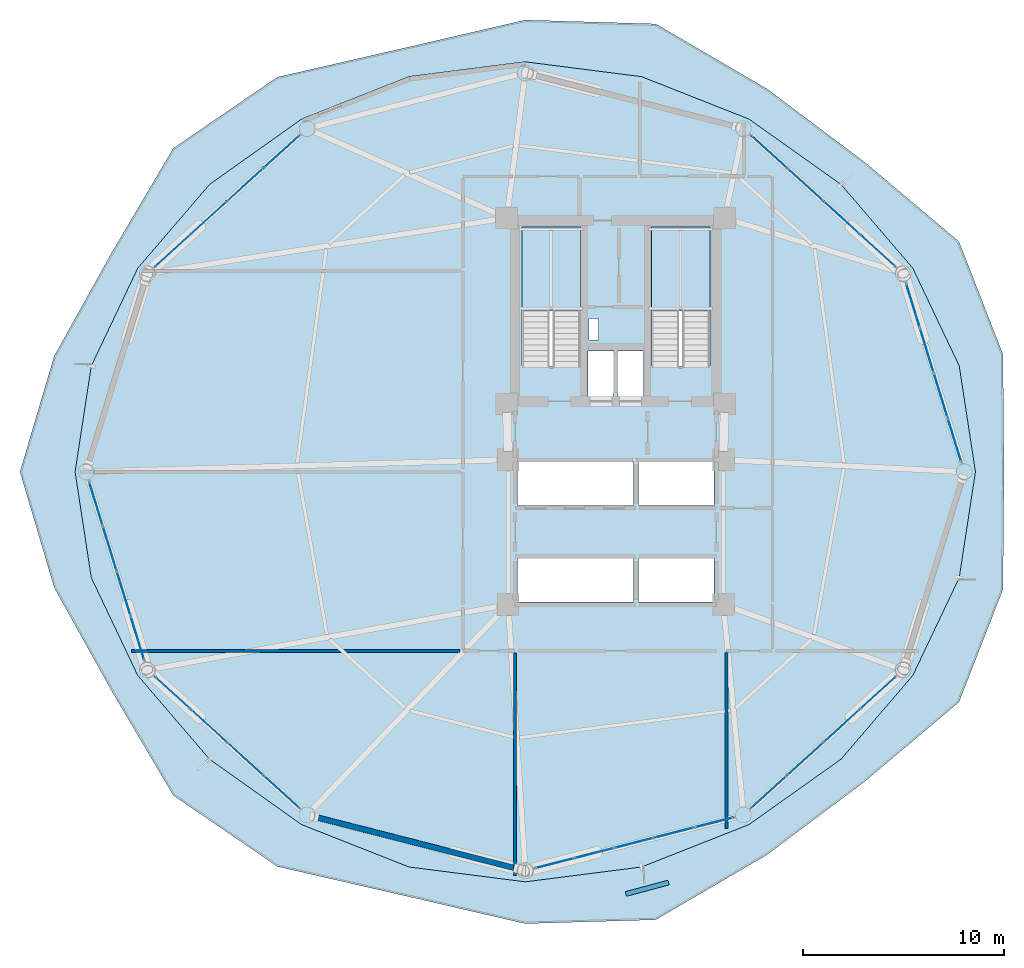
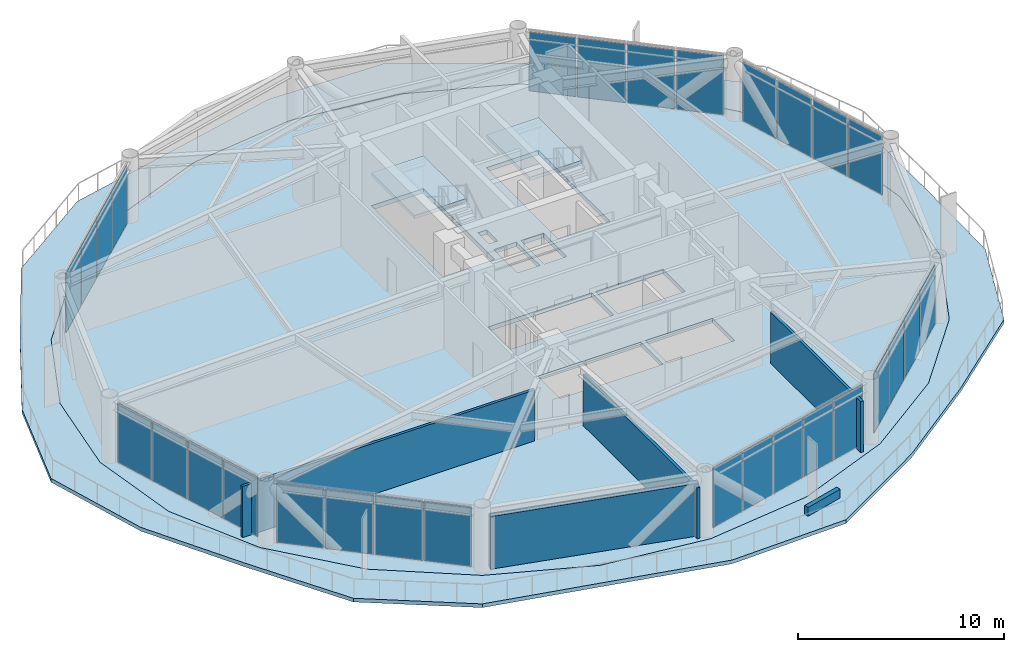
# One storey, part 18 of 23: 29 plates, 5 walls, 4 slabs, 9 elements without a shape of their own.
"""IFC4 building model written with IfcOpenShell, lengths in metres."""

from ifc_helpers import new_model, si_unit, direction, frame, frame_2d, origin, origin_2d, place, context, subcontext, project, spatial, polyline, rectangle, outline, extrude, source, transform, mapped, material, layer, layer_set, type_object, type_shapes, element, aggregate, save


model = new_model("IFC4")

# Units and contexts
model_context = context("Model", 3, precision=1e-05, world=origin(), true_north=direction((0.0, 1.0)))
body_context = subcontext(model_context, "Body", "Model", "MODEL_VIEW")
ifc_project = project(units=[si_unit("LENGTHUNIT", "METRE"), si_unit("AREAUNIT", "SQUARE_METRE"), si_unit("VOLUMEUNIT", "CUBIC_METRE"), si_unit("PLANEANGLEUNIT", "RADIAN"), si_unit("MASSUNIT", "GRAM", prefix="KILO")], contexts=[model_context])

# Site, building, storey
site_placement = place(None, origin())
site = spatial("IfcSite", under=ifc_project, at=site_placement, CompositionType="ELEMENT")
building_placement = place(site_placement, origin())
building = spatial("IfcBuilding", under=site, at=building_placement, Name="Varnakorn Sky Granary", CompositionType="ELEMENT")
storey_placement = place(building_placement, frame((0.0, 0.0, 83.699951171875)))
storey = spatial("IfcBuildingStorey", under=building, at=storey_placement, Name="L20", CompositionType="ELEMENT", Elevation=83.699951171875)

# Stair, slab
ifc_material_1 = material(Name="Concrete C40/50", Category="concrete")
stair_type = type_object("IfcStairType", Name="ST-MAIN-ASSEMBLY", PredefinedType="HALF_TURN_STAIR", material=ifc_material_1)
stair_1_placement = place(storey_placement, origin())
stair_1 = element("IfcStair", 1, at=stair_1_placement, inside=storey, type_object=stair_type, Name="L20 Protected Exit Stair ST-1", PredefinedType="HALF_TURN_STAIR")
ifc_layer_1 = layer(ifc_material_1, 0.199951171875, Name="Concrete C40/50")
ifc_layer_set_1 = layer_set([ifc_layer_1], Name="Concrete C40/50")
slab_type_1 = type_object("IfcSlabType", Name="ST-MAIN-LAND", PredefinedType="LANDING", material=ifc_layer_set_1)
slab_1_placement = place(storey_placement, frame((0.0, 0.0, 1.75)))
slab_1 = element("IfcSlab", 2, at=slab_1_placement, type_object=slab_type_1, Name="ST-1 landing 1", PredefinedType="LANDING", context=body_context, shape_type="SweptSolid", body=[
    extrude(outline(polyline([(1.239990234375, 8.0), (1.239990234375, 12.179931640625), (-1.669921875, 12.179931640625), (-1.669921875, 8.0), (1.239990234375, 8.0)])), origin(), (0.0, 0.0, 1.0), 0.199951171875),
])
aggregate(stair_1, [slab_1])

stair_2_placement = place(storey_placement, origin())
stair_2 = element("IfcStair", 3, at=stair_2_placement, inside=storey, type_object=stair_type, Name="L20 Protected Exit Stair ST-2", PredefinedType="HALF_TURN_STAIR")
slab_2_placement = place(storey_placement, frame((0.0, 0.0, 1.75)))
slab_2 = element("IfcSlab", 4, at=slab_2_placement, type_object=slab_type_1, Name="ST-2 landing 1", PredefinedType="LANDING", context=body_context, shape_type="SweptSolid", body=[
    extrude(outline(polyline([(7.679931640625, 8.0), (7.679931640625, 12.179931640625), (4.77001953125, 12.179931640625), (4.77001953125, 8.0), (7.679931640625, 8.0)])), origin(), (0.0, 0.0, 1.0), 0.199951171875),
])
aggregate(stair_2, [slab_2])

# Slabs
ifc_material_2 = material(Name="Precast concrete C40/50", Category="concrete")
ifc_layer_2 = layer(ifc_material_2, 0.219970703125, Name="Precast concrete C40/50")
ifc_layer_set_2 = layer_set([ifc_layer_2], Name="Precast concrete C40/50")
slab_type_2 = type_object("IfcSlabType", Name="ST-SL-DECK-220", PredefinedType="FLOOR", material=ifc_layer_set_2)
slab_3_placement = place(storey_placement, frame((0.0, 0.0, -0.219970703125)))
element("IfcSlab", 5, at=slab_3_placement, inside=storey, type_object=slab_type_2, Name="Wavy Sky-Farm Balcony Deck L20", PredefinedType="FLOOR", context=body_context, shape_type="SweptSolid", body=[
    extrude(outline(polyline([(22.31005859375, 0.0), (22.2578125, 5.8486328125), (20.069580078125, 11.454345703125), (15.345703125, 15.432861328125), (10.50244140625, 19.05859375), (4.98681640625, 22.278564453125), (-1.5, 22.471923828125), (-7.65673828125, 21.047119140625), (-13.83251953125, 19.630126953125), (-19.005615234375, 16.0927734375), (-22.07958984375, 10.8828125), (-24.927734375, 5.76025390625), (-26.6298828125, 0.0), (-24.927734375, -5.76025390625), (-22.07958984375, -10.8828125), (-19.005615234375, -16.0927734375), (-13.83251953125, -19.630126953125), (-7.65673828125, -21.047119140625), (-1.5, -22.471923828125), (4.98681640625, -22.278564453125), (10.50244140625, -19.05859375), (15.345703125, -15.432861328125), (20.069580078125, -11.454345703125), (22.2578125, -5.8486328125), (22.31005859375, 0.0)]), holes=[polyline([(20.889892578125, 0.0), (20.08349609375, 5.26611328125), (17.7734375, 10.12841796875), (14.204833984375, 14.2919921875), (9.62744140625, 17.543212890625), (4.283203125, 19.65380859375), (-1.5, 20.39208984375), (-7.283203125, 19.65380859375), (-12.62744140625, 17.543212890625), (-17.204833984375, 14.2919921875), (-20.7734375, 10.12841796875), (-23.08349609375, 5.26611328125), (-23.889892578125, 0.0), (-23.08349609375, -5.26611328125), (-20.7734375, -10.12841796875), (-17.204833984375, -14.2919921875), (-12.62744140625, -17.543212890625), (-7.283203125, -19.65380859375), (-1.5, -20.39208984375), (4.283203125, -19.65380859375), (9.62744140625, -17.543212890625), (14.204833984375, -14.2919921875), (17.7734375, -10.12841796875), (20.08349609375, -5.26611328125), (20.889892578125, 0.0)])]), origin(), (0.0, 0.0, 1.0), 0.219970703125),
])
ifc_material_3 = material(Name="Concrete C50/60", Category="concrete")
ifc_layer_3 = layer(ifc_material_3, 0.260009765625, Name="Concrete C50/60")
ifc_layer_set_3 = layer_set([ifc_layer_3], Name="Concrete C50/60")
slab_type_3 = type_object("IfcSlabType", Name="ST-SL-TWR-260", PredefinedType="FLOOR", material=ifc_layer_set_3)
slab_4_placement = place(storey_placement, frame((0.0, 0.0, -0.260009765625)))
element("IfcSlab", 6, at=slab_4_placement, inside=storey, type_object=slab_type_3, Name="Level L20 Structural Floor Slab", PredefinedType="FLOOR", context=body_context, shape_type="SweptSolid", body=[
    extrude(outline(polyline([(20.889892578125, 0.0), (20.08349609375, 5.26611328125), (17.7734375, 10.12841796875), (14.204833984375, 14.2919921875), (9.62744140625, 17.543212890625), (4.283203125, 19.65380859375), (-1.5, 20.39208984375), (-7.283203125, 19.65380859375), (-12.62744140625, 17.543212890625), (-17.204833984375, 14.2919921875), (-20.7734375, 10.12841796875), (-23.08349609375, 5.26611328125), (-23.889892578125, 0.0), (-23.08349609375, -5.26611328125), (-20.7734375, -10.12841796875), (-17.204833984375, -14.2919921875), (-12.62744140625, -17.543212890625), (-7.283203125, -19.65380859375), (-1.5, -20.39208984375), (4.283203125, -19.65380859375), (9.62744140625, -17.543212890625), (14.204833984375, -14.2919921875), (17.7734375, -10.12841796875), (20.08349609375, -5.26611328125), (20.889892578125, 0.0)]), holes=[polyline([(1.239990234375, 5.27490234375), (1.239990234375, 12.179931640625), (-1.669921875, 12.179931640625), (-1.669921875, 5.27490234375), (1.239990234375, 5.27490234375)]), polyline([(7.679931640625, 5.27490234375), (7.679931640625, 12.179931640625), (4.77001953125, 12.179931640625), (4.77001953125, 5.27490234375), (7.679931640625, 5.27490234375)]), polyline([(1.659912109375, 6.550048828125), (2.14990234375, 6.550048828125), (2.14990234375, 7.6201171875), (1.659912109375, 7.6201171875), (1.659912109375, 6.550048828125)]), polyline([(1.6201171875, 3.739990234375), (2.8798828125, 3.739990234375), (2.8798828125, 6.010009765625), (1.6201171875, 6.010009765625), (1.6201171875, 3.739990234375)]), polyline([(3.1201171875, 3.739990234375), (4.3798828125, 3.739990234375), (4.3798828125, 6.010009765625), (3.1201171875, 6.010009765625), (3.1201171875, 3.739990234375)]), polyline([(-1.8798828125, -1.679931640625), (3.8798828125, -1.679931640625), (3.8798828125, 0.47998046875), (-1.8798828125, 0.47998046875), (-1.8798828125, -1.679931640625)]), polyline([(4.1201171875, -1.679931640625), (7.8798828125, -1.679931640625), (7.8798828125, 0.47998046875), (4.1201171875, 0.47998046875), (4.1201171875, -1.679931640625)]), polyline([(-1.8798828125, -6.47998046875), (3.8798828125, -6.47998046875), (3.8798828125, -4.320068359375), (-1.8798828125, -4.320068359375), (-1.8798828125, -6.47998046875)]), polyline([(4.1201171875, -6.47998046875), (7.8798828125, -6.47998046875), (7.8798828125, -4.320068359375), (4.1201171875, -4.320068359375), (4.1201171875, -6.47998046875)])]), origin(), (0.0, 0.0, 1.0), 0.260009765625),
])

# Curtain wall, plates
ifc_material_4 = material(Name="Anodised Bronze Aluminium Alloy 6063-T6", Category="aluminium")
ifc_layer_4 = layer(ifc_material_4, 0.18994140625, Name="Anodised Bronze Aluminium Alloy 6063-T6")
ifc_layer_set_4 = layer_set([ifc_layer_4], Name="Anodised Bronze Aluminium Alloy 6063-T6")
curtain_wall_type = type_object("IfcCurtainWallType", Name="CW-FRM-1", PredefinedType="USERDEFINED", material=ifc_layer_set_4)
curtain_wall_1_placement = place(storey_placement, origin())
curtain_wall_1 = element("IfcCurtainWall", 7, at=curtain_wall_1_placement, inside=storey, type_object=curtain_wall_type, Name="Unitised Curtain Wall CW3 CW-L20-B10", ObjectType="CURTAIN WALL", PredefinedType="USERDEFINED")
ifc_material_5 = material(Name="Low-E Tinted Laminated Glass", Category="glass")
ifc_layer_5 = layer(ifc_material_5, 0.028076171875, Name="Low-E Tinted Laminated Glass")
ifc_layer_set_5 = layer_set([ifc_layer_5], Name="Low-E Tinted Laminated Glass")
plate_type = type_object("IfcPlateType", Name="CW-FRM-1-PNL", PredefinedType="CURTAIN_PANEL")
shared_shape_1 = source(origin(), body_context, "Body", "SweptSolid", [
    extrude(rectangle(XDim=1.94873046875, YDim=0.028076171875, at=origin_2d()), origin(), (0.0, 0.0, 1.0), 3.5),
])
plate_1_placement = place(storey_placement, frame((7.888671875, -17.441162109375, 0.070068359375), z_axis=(0.0, 0.0, 1.0), x_axis=(-0.968825266869, -0.247745034815, 0.0)))
plate_1 = element("IfcPlate", 8, at=plate_1_placement, type_object=plate_type, material=ifc_layer_set_5, Name="CW3 vision glazing unit 1.1", PredefinedType="CURTAIN_PANEL", context=body_context, shape_type="MappedRepresentation", body=[
    mapped(shared_shape_1, transform((0.0, 0.0, 0.0), x_axis=(1.0, 0.0, 0.0), y_axis=(0.0, 1.0, 0.0), z_axis=(0.0, 0.0, 1.0), scale=1.0)),
])
ifc_material_6 = material(Name="Opaque Insulated Aluminium Shadow-Box Unit", Category="aluminium")
ifc_layer_6 = layer(ifc_material_6, 0.028076171875, Name="Opaque Insulated Aluminium Shadow-Box Unit")
ifc_layer_set_6 = layer_set([ifc_layer_6], Name="Opaque Insulated Aluminium Shadow-Box Unit")
plate_2_placement = place(storey_placement, frame((-0.0361328125, -19.4677734375, 0.070068359375), z_axis=(0.0, 0.0, 1.0), x_axis=(-0.968825266869, -0.247745034815, 0.0)))
plate_2 = element("IfcPlate", 9, at=plate_2_placement, type_object=plate_type, material=ifc_layer_set_6, Name="CW3 opaque insulated shadow-box unit 5.1", PredefinedType="CURTAIN_PANEL", context=body_context, shape_type="MappedRepresentation", body=[
    mapped(shared_shape_1, transform((0.0, 0.0, 0.0), x_axis=(1.0, 0.0, 0.0), y_axis=(0.0, 1.0, 0.0), z_axis=(0.0, 0.0, 1.0), scale=1.0)),
])

curtain_wall_2_placement = place(storey_placement, origin())
curtain_wall_2 = element("IfcCurtainWall", 10, at=curtain_wall_2_placement, inside=storey, type_object=curtain_wall_type, Name="Unitised Curtain Wall CW3 CW-L20-B01", ObjectType="CURTAIN WALL", PredefinedType="USERDEFINED")
shared_shape_2 = source(origin(), body_context, "Body", "SweptSolid", [
    extrude(rectangle(XDim=2.239990234375, YDim=0.028076171875, at=origin_2d()), origin(), (0.0, 0.0, 1.0), 3.5),
])
plate_3_placement = place(storey_placement, frame((17.785888671875, 8.270751953125, 0.070068359375), z_axis=(0.0, 0.0, 1.0), x_axis=(0.295072350738, -0.955474912193, 0.0)))
plate_3 = element("IfcPlate", 11, at=plate_3_placement, type_object=plate_type, material=ifc_layer_set_6, Name="CW3 opaque insulated shadow-box unit 1.1", PredefinedType="CURTAIN_PANEL", context=body_context, shape_type="MappedRepresentation", body=[
    mapped(shared_shape_2, transform((0.0, 0.0, 0.0), x_axis=(1.0, 0.0, 0.0), y_axis=(0.0, 1.0, 0.0), z_axis=(0.0, 0.0, 1.0), scale=1.0)),
])
plate_4_placement = place(storey_placement, frame((19.851318359375, 1.582763671875, 0.070068359375), z_axis=(0.0, 0.0, 1.0), x_axis=(0.295072350738, -0.955474912193, 0.0)))
plate_4 = element("IfcPlate", 12, at=plate_4_placement, type_object=plate_type, material=ifc_layer_set_5, Name="CW3 vision glazing unit 4.1", PredefinedType="CURTAIN_PANEL", context=body_context, shape_type="MappedRepresentation", body=[
    mapped(shared_shape_2, transform((0.0, 0.0, 0.0), x_axis=(1.0, 0.0, 0.0), y_axis=(0.0, 1.0, 0.0), z_axis=(0.0, 0.0, 1.0), scale=1.0)),
])

curtain_wall_3_placement = place(storey_placement, origin())
curtain_wall_3 = element("IfcCurtainWall", 13, at=curtain_wall_3_placement, inside=storey, type_object=curtain_wall_type, Name="Unitised Curtain Wall CW3 CW-L20-B07", ObjectType="CURTAIN WALL", PredefinedType="USERDEFINED")
plate_5_placement = place(storey_placement, frame((-20.785888671875, -8.270751953125, 0.070068359375), z_axis=(0.0, 0.0, 1.0), x_axis=(-0.295072350738, 0.955474912193, 0.0)))
plate_5 = element("IfcPlate", 14, at=plate_5_placement, type_object=plate_type, material=ifc_layer_set_6, Name="CW3 opaque insulated shadow-box unit 1.1", PredefinedType="CURTAIN_PANEL", context=body_context, shape_type="MappedRepresentation", body=[
    mapped(shared_shape_2, transform((0.0, 0.0, 0.0), x_axis=(1.0, 0.0, 0.0), y_axis=(0.0, 1.0, 0.0), z_axis=(0.0, 0.0, 1.0), scale=1.0)),
])
plate_6_placement = place(storey_placement, frame((-22.851318359375, -1.582763671875, 0.070068359375), z_axis=(0.0, 0.0, 1.0), x_axis=(-0.295072350738, 0.955474912193, 0.0)))
plate_6 = element("IfcPlate", 15, at=plate_6_placement, type_object=plate_type, material=ifc_layer_set_5, Name="CW3 vision glazing unit 4.1", PredefinedType="CURTAIN_PANEL", context=body_context, shape_type="MappedRepresentation", body=[
    mapped(shared_shape_2, transform((0.0, 0.0, 0.0), x_axis=(1.0, 0.0, 0.0), y_axis=(0.0, 1.0, 0.0), z_axis=(0.0, 0.0, 1.0), scale=1.0)),
])

# Plate
shared_shape_3 = source(origin(), body_context, "Body", "SweptSolid", [
    extrude(rectangle(XDim=2.27490234375, YDim=0.028076171875, at=origin_2d()), origin(), (0.0, 0.0, 1.0), 3.5),
])
plate_7_placement = place(storey_placement, frame((18.47265625, 6.047119140625, 0.070068359375), z_axis=(0.0, 0.0, 1.0), x_axis=(0.295072350738, -0.955474912193, 0.0)))
plate_7 = element("IfcPlate", 16, at=plate_7_placement, type_object=plate_type, material=ifc_layer_set_6, Name="CW3 opaque insulated shadow-box unit 2.1", PredefinedType="CURTAIN_PANEL", context=body_context, shape_type="MappedRepresentation", body=[
    mapped(shared_shape_3, transform((0.0, 0.0, 0.0), x_axis=(1.0, 0.0, 0.0), y_axis=(0.0, 1.0, 0.0), z_axis=(0.0, 0.0, 1.0), scale=1.0)),
])

plate_8_placement = place(storey_placement, frame((19.16455078125, 3.806396484375, 0.070068359375), z_axis=(0.0, 0.0, 1.0), x_axis=(0.295072350738, -0.955474912193, 0.0)))
plate_8 = element("IfcPlate", 17, at=plate_8_placement, type_object=plate_type, material=ifc_layer_set_5, Name="CW3 vision glazing unit 3.1", PredefinedType="CURTAIN_PANEL", context=body_context, shape_type="MappedRepresentation", body=[
    mapped(shared_shape_3, transform((0.0, 0.0, 0.0), x_axis=(1.0, 0.0, 0.0), y_axis=(0.0, 1.0, 0.0), z_axis=(0.0, 0.0, 1.0), scale=1.0)),
])

aggregate(curtain_wall_2, [plate_3, plate_7, plate_8, plate_4])

plate_9_placement = place(storey_placement, frame((-21.47265625, -6.047119140625, 0.070068359375), z_axis=(0.0, 0.0, 1.0), x_axis=(-0.295072350738, 0.955474912193, 0.0)))
plate_9 = element("IfcPlate", 18, at=plate_9_placement, type_object=plate_type, material=ifc_layer_set_6, Name="CW3 opaque insulated shadow-box unit 2.1", PredefinedType="CURTAIN_PANEL", context=body_context, shape_type="MappedRepresentation", body=[
    mapped(shared_shape_3, transform((0.0, 0.0, 0.0), x_axis=(1.0, 0.0, 0.0), y_axis=(0.0, 1.0, 0.0), z_axis=(0.0, 0.0, 1.0), scale=1.0)),
])

plate_10_placement = place(storey_placement, frame((-22.16455078125, -3.806396484375, 0.070068359375), z_axis=(0.0, 0.0, 1.0), x_axis=(-0.295072350738, 0.955474912193, 0.0)))
plate_10 = element("IfcPlate", 19, at=plate_10_placement, type_object=plate_type, material=ifc_layer_set_5, Name="CW3 vision glazing unit 3.1", PredefinedType="CURTAIN_PANEL", context=body_context, shape_type="MappedRepresentation", body=[
    mapped(shared_shape_3, transform((0.0, 0.0, 0.0), x_axis=(1.0, 0.0, 0.0), y_axis=(0.0, 1.0, 0.0), z_axis=(0.0, 0.0, 1.0), scale=1.0)),
])

aggregate(curtain_wall_3, [plate_5, plate_9, plate_10, plate_6])

# Curtain wall, plates
curtain_wall_4_placement = place(storey_placement, origin())
curtain_wall_4 = element("IfcCurtainWall", 20, at=curtain_wall_4_placement, inside=storey, type_object=curtain_wall_type, Name="Unitised Curtain Wall CW3 CW-L20-B02", ObjectType="CURTAIN WALL", PredefinedType="USERDEFINED")
shared_shape_4 = source(origin(), body_context, "Body", "SweptSolid", [
    extrude(rectangle(XDim=2.344482421875, YDim=0.028076171875, at=origin_2d()), origin(), (0.0, 0.0, 1.0), 3.5),
])
plate_11_placement = place(storey_placement, frame((10.61767578125, 15.918212890625, 0.070068359375), z_axis=(0.0, 0.0, 1.0), x_axis=(0.740359735476, -0.672210876204, 0.0)))
plate_11 = element("IfcPlate", 21, at=plate_11_placement, type_object=plate_type, material=ifc_layer_set_5, Name="CW3 vision glazing unit 1.1", PredefinedType="CURTAIN_PANEL", context=body_context, shape_type="MappedRepresentation", body=[
    mapped(shared_shape_4, transform((0.0, 0.0, 0.0), x_axis=(1.0, 0.0, 0.0), y_axis=(0.0, 1.0, 0.0), z_axis=(0.0, 0.0, 1.0), scale=1.0)),
])
plate_12_placement = place(storey_placement, frame((16.031982421875, 11.002197265625, 0.070068359375), z_axis=(0.0, 0.0, 1.0), x_axis=(0.740359735476, -0.672210876204, 0.0)))
plate_12 = element("IfcPlate", 22, at=plate_12_placement, type_object=plate_type, material=ifc_layer_set_6, Name="CW3 opaque insulated shadow-box unit 4.1", PredefinedType="CURTAIN_PANEL", context=body_context, shape_type="MappedRepresentation", body=[
    mapped(shared_shape_4, transform((0.0, 0.0, 0.0), x_axis=(1.0, 0.0, 0.0), y_axis=(0.0, 1.0, 0.0), z_axis=(0.0, 0.0, 1.0), scale=1.0)),
])

curtain_wall_5_placement = place(storey_placement, origin())
curtain_wall_5 = element("IfcCurtainWall", 23, at=curtain_wall_5_placement, inside=storey, type_object=curtain_wall_type, Name="Unitised Curtain Wall CW3 CW-L20-B05", ObjectType="CURTAIN WALL", PredefinedType="USERDEFINED")
plate_13_placement = place(storey_placement, frame((-19.031982421875, 11.002197265625, 0.070068359375), z_axis=(0.0, 0.0, 1.0), x_axis=(0.740359735476, 0.672210876204, 0.0)))
plate_13 = element("IfcPlate", 24, at=plate_13_placement, type_object=plate_type, material=ifc_layer_set_6, Name="CW3 opaque insulated shadow-box unit 1.1", PredefinedType="CURTAIN_PANEL", context=body_context, shape_type="MappedRepresentation", body=[
    mapped(shared_shape_4, transform((0.0, 0.0, 0.0), x_axis=(1.0, 0.0, 0.0), y_axis=(0.0, 1.0, 0.0), z_axis=(0.0, 0.0, 1.0), scale=1.0)),
])
plate_14_placement = place(storey_placement, frame((-13.61767578125, 15.918212890625, 0.070068359375), z_axis=(0.0, 0.0, 1.0), x_axis=(0.740359735476, 0.672210876204, 0.0)))
plate_14 = element("IfcPlate", 25, at=plate_14_placement, type_object=plate_type, material=ifc_layer_set_5, Name="CW3 vision glazing unit 4.1", PredefinedType="CURTAIN_PANEL", context=body_context, shape_type="MappedRepresentation", body=[
    mapped(shared_shape_4, transform((0.0, 0.0, 0.0), x_axis=(1.0, 0.0, 0.0), y_axis=(0.0, 1.0, 0.0), z_axis=(0.0, 0.0, 1.0), scale=1.0)),
])

curtain_wall_6_placement = place(storey_placement, origin())
curtain_wall_6 = element("IfcCurtainWall", 26, at=curtain_wall_6_placement, inside=storey, type_object=curtain_wall_type, Name="Unitised Curtain Wall CW3 CW-L20-B08", ObjectType="CURTAIN WALL", PredefinedType="USERDEFINED")
plate_15_placement = place(storey_placement, frame((-13.61767578125, -15.918212890625, 0.070068359375), z_axis=(0.0, 0.0, 1.0), x_axis=(-0.740359735476, 0.672210876204, 0.0)))
plate_15 = element("IfcPlate", 27, at=plate_15_placement, type_object=plate_type, material=ifc_layer_set_5, Name="CW3 vision glazing unit 1.1", PredefinedType="CURTAIN_PANEL", context=body_context, shape_type="MappedRepresentation", body=[
    mapped(shared_shape_4, transform((0.0, 0.0, 0.0), x_axis=(1.0, 0.0, 0.0), y_axis=(0.0, 1.0, 0.0), z_axis=(0.0, 0.0, 1.0), scale=1.0)),
])
plate_16_placement = place(storey_placement, frame((-19.031982421875, -11.002197265625, 0.070068359375), z_axis=(0.0, 0.0, 1.0), x_axis=(-0.740359735476, 0.672210876204, 0.0)))
plate_16 = element("IfcPlate", 28, at=plate_16_placement, type_object=plate_type, material=ifc_layer_set_6, Name="CW3 opaque insulated shadow-box unit 4.1", PredefinedType="CURTAIN_PANEL", context=body_context, shape_type="MappedRepresentation", body=[
    mapped(shared_shape_4, transform((0.0, 0.0, 0.0), x_axis=(1.0, 0.0, 0.0), y_axis=(0.0, 1.0, 0.0), z_axis=(0.0, 0.0, 1.0), scale=1.0)),
])

curtain_wall_7_placement = place(storey_placement, origin())
curtain_wall_7 = element("IfcCurtainWall", 29, at=curtain_wall_7_placement, inside=storey, type_object=curtain_wall_type, Name="Unitised Curtain Wall CW3 CW-L20-B11", ObjectType="CURTAIN WALL", PredefinedType="USERDEFINED")
plate_17_placement = place(storey_placement, frame((16.031982421875, -11.002197265625, 0.070068359375), z_axis=(0.0, 0.0, 1.0), x_axis=(-0.740359735476, -0.672210876204, 0.0)))
plate_17 = element("IfcPlate", 30, at=plate_17_placement, type_object=plate_type, material=ifc_layer_set_6, Name="CW3 opaque insulated shadow-box unit 1.1", PredefinedType="CURTAIN_PANEL", context=body_context, shape_type="MappedRepresentation", body=[
    mapped(shared_shape_4, transform((0.0, 0.0, 0.0), x_axis=(1.0, 0.0, 0.0), y_axis=(0.0, 1.0, 0.0), z_axis=(0.0, 0.0, 1.0), scale=1.0)),
])
plate_18_placement = place(storey_placement, frame((10.61767578125, -15.918212890625, 0.070068359375), z_axis=(0.0, 0.0, 1.0), x_axis=(-0.740359735476, -0.672210876204, 0.0)))
plate_18 = element("IfcPlate", 31, at=plate_18_placement, type_object=plate_type, material=ifc_layer_set_5, Name="CW3 vision glazing unit 4.1", PredefinedType="CURTAIN_PANEL", context=body_context, shape_type="MappedRepresentation", body=[
    mapped(shared_shape_4, transform((0.0, 0.0, 0.0), x_axis=(1.0, 0.0, 0.0), y_axis=(0.0, 1.0, 0.0), z_axis=(0.0, 0.0, 1.0), scale=1.0)),
])

# Plate
shared_shape_5 = source(origin(), body_context, "Body", "SweptSolid", [
    extrude(rectangle(XDim=2.37939453125, YDim=0.028076171875, at=origin_2d()), origin(), (0.0, 0.0, 1.0), 3.5),
])
plate_19_placement = place(storey_placement, frame((12.41796875, 14.283447265625, 0.070068359375), z_axis=(0.0, 0.0, 1.0), x_axis=(0.740359735476, -0.672210876204, 0.0)))
plate_19 = element("IfcPlate", 32, at=plate_19_placement, type_object=plate_type, material=ifc_layer_set_5, Name="CW3 vision glazing unit 2.1", PredefinedType="CURTAIN_PANEL", context=body_context, shape_type="MappedRepresentation", body=[
    mapped(shared_shape_5, transform((0.0, 0.0, 0.0), x_axis=(1.0, 0.0, 0.0), y_axis=(0.0, 1.0, 0.0), z_axis=(0.0, 0.0, 1.0), scale=1.0)),
])

plate_20_placement = place(storey_placement, frame((14.2314453125, 12.636962890625, 0.070068359375), z_axis=(0.0, 0.0, 1.0), x_axis=(0.740359735476, -0.672210876204, 0.0)))
plate_20 = element("IfcPlate", 33, at=plate_20_placement, type_object=plate_type, material=ifc_layer_set_6, Name="CW3 opaque insulated shadow-box unit 3.1", PredefinedType="CURTAIN_PANEL", context=body_context, shape_type="MappedRepresentation", body=[
    mapped(shared_shape_5, transform((0.0, 0.0, 0.0), x_axis=(1.0, 0.0, 0.0), y_axis=(0.0, 1.0, 0.0), z_axis=(0.0, 0.0, 1.0), scale=1.0)),
])

aggregate(curtain_wall_4, [plate_11, plate_19, plate_20, plate_12])

plate_21_placement = place(storey_placement, frame((-17.2314453125, 12.636962890625, 0.070068359375), z_axis=(0.0, 0.0, 1.0), x_axis=(0.740359735476, 0.672210876204, 0.0)))
plate_21 = element("IfcPlate", 34, at=plate_21_placement, type_object=plate_type, material=ifc_layer_set_6, Name="CW3 opaque insulated shadow-box unit 2.1", PredefinedType="CURTAIN_PANEL", context=body_context, shape_type="MappedRepresentation", body=[
    mapped(shared_shape_5, transform((0.0, 0.0, 0.0), x_axis=(1.0, 0.0, 0.0), y_axis=(0.0, 1.0, 0.0), z_axis=(0.0, 0.0, 1.0), scale=1.0)),
])

plate_22_placement = place(storey_placement, frame((-15.41796875, 14.283447265625, 0.070068359375), z_axis=(0.0, 0.0, 1.0), x_axis=(0.740359735476, 0.672210876204, 0.0)))
plate_22 = element("IfcPlate", 35, at=plate_22_placement, type_object=plate_type, material=ifc_layer_set_5, Name="CW3 vision glazing unit 3.1", PredefinedType="CURTAIN_PANEL", context=body_context, shape_type="MappedRepresentation", body=[
    mapped(shared_shape_5, transform((0.0, 0.0, 0.0), x_axis=(1.0, 0.0, 0.0), y_axis=(0.0, 1.0, 0.0), z_axis=(0.0, 0.0, 1.0), scale=1.0)),
])

aggregate(curtain_wall_5, [plate_13, plate_21, plate_22, plate_14])

plate_23_placement = place(storey_placement, frame((-15.41796875, -14.283447265625, 0.070068359375), z_axis=(0.0, 0.0, 1.0), x_axis=(-0.740359735476, 0.672210876204, 0.0)))
plate_23 = element("IfcPlate", 36, at=plate_23_placement, type_object=plate_type, material=ifc_layer_set_5, Name="CW3 vision glazing unit 2.1", PredefinedType="CURTAIN_PANEL", context=body_context, shape_type="MappedRepresentation", body=[
    mapped(shared_shape_5, transform((0.0, 0.0, 0.0), x_axis=(1.0, 0.0, 0.0), y_axis=(0.0, 1.0, 0.0), z_axis=(0.0, 0.0, 1.0), scale=1.0)),
])

plate_24_placement = place(storey_placement, frame((-17.2314453125, -12.636962890625, 0.070068359375), z_axis=(0.0, 0.0, 1.0), x_axis=(-0.740359735476, 0.672210876204, 0.0)))
plate_24 = element("IfcPlate", 37, at=plate_24_placement, type_object=plate_type, material=ifc_layer_set_6, Name="CW3 opaque insulated shadow-box unit 3.1", PredefinedType="CURTAIN_PANEL", context=body_context, shape_type="MappedRepresentation", body=[
    mapped(shared_shape_5, transform((0.0, 0.0, 0.0), x_axis=(1.0, 0.0, 0.0), y_axis=(0.0, 1.0, 0.0), z_axis=(0.0, 0.0, 1.0), scale=1.0)),
])

aggregate(curtain_wall_6, [plate_15, plate_23, plate_24, plate_16])

plate_25_placement = place(storey_placement, frame((14.2314453125, -12.636962890625, 0.070068359375), z_axis=(0.0, 0.0, 1.0), x_axis=(-0.740359735476, -0.672210876204, 0.0)))
plate_25 = element("IfcPlate", 38, at=plate_25_placement, type_object=plate_type, material=ifc_layer_set_6, Name="CW3 opaque insulated shadow-box unit 2.1", PredefinedType="CURTAIN_PANEL", context=body_context, shape_type="MappedRepresentation", body=[
    mapped(shared_shape_5, transform((0.0, 0.0, 0.0), x_axis=(1.0, 0.0, 0.0), y_axis=(0.0, 1.0, 0.0), z_axis=(0.0, 0.0, 1.0), scale=1.0)),
])

plate_26_placement = place(storey_placement, frame((12.41796875, -14.283447265625, 0.070068359375), z_axis=(0.0, 0.0, 1.0), x_axis=(-0.740359735476, -0.672210876204, 0.0)))
plate_26 = element("IfcPlate", 39, at=plate_26_placement, type_object=plate_type, material=ifc_layer_set_5, Name="CW3 vision glazing unit 3.1", PredefinedType="CURTAIN_PANEL", context=body_context, shape_type="MappedRepresentation", body=[
    mapped(shared_shape_5, transform((0.0, 0.0, 0.0), x_axis=(1.0, 0.0, 0.0), y_axis=(0.0, 1.0, 0.0), z_axis=(0.0, 0.0, 1.0), scale=1.0)),
])

aggregate(curtain_wall_7, [plate_17, plate_25, plate_26, plate_18])

shared_shape_6 = source(origin(), body_context, "Body", "SweptSolid", [
    extrude(rectangle(XDim=1.983642578125, YDim=0.028076171875, at=origin_2d()), origin(), (0.0, 0.0, 1.0), 3.5),
])
type_shapes(plate_type, [shared_shape_1, shared_shape_2, shared_shape_3, shared_shape_4, shared_shape_5, shared_shape_6])
plate_27_placement = place(storey_placement, frame((5.916015625, -17.945556640625, 0.070068359375), z_axis=(0.0, 0.0, 1.0), x_axis=(-0.968825266869, -0.247745034815, 0.0)))
plate_27 = element("IfcPlate", 40, at=plate_27_placement, type_object=plate_type, material=ifc_layer_set_5, Name="CW3 vision glazing unit 2.1", PredefinedType="CURTAIN_PANEL", context=body_context, shape_type="MappedRepresentation", body=[
    mapped(shared_shape_6, transform((0.0, 0.0, 0.0), x_axis=(1.0, 0.0, 0.0), y_axis=(0.0, 1.0, 0.0), z_axis=(0.0, 0.0, 1.0), scale=1.0)),
])

plate_28_placement = place(storey_placement, frame((3.92626953125, -18.454345703125, 0.070068359375), z_axis=(0.0, 0.0, 1.0), x_axis=(-0.968825266869, -0.247745034815, 0.0)))
plate_28 = element("IfcPlate", 41, at=plate_28_placement, type_object=plate_type, material=ifc_layer_set_5, Name="CW3 vision glazing unit 3.1", PredefinedType="CURTAIN_PANEL", context=body_context, shape_type="MappedRepresentation", body=[
    mapped(shared_shape_6, transform((0.0, 0.0, 0.0), x_axis=(1.0, 0.0, 0.0), y_axis=(0.0, 1.0, 0.0), z_axis=(0.0, 0.0, 1.0), scale=1.0)),
])

plate_29_placement = place(storey_placement, frame((1.9365234375, -18.963134765625, 0.070068359375), z_axis=(0.0, 0.0, 1.0), x_axis=(-0.968825266869, -0.247745034815, 0.0)))
plate_29 = element("IfcPlate", 42, at=plate_29_placement, type_object=plate_type, material=ifc_layer_set_6, Name="CW3 opaque insulated shadow-box unit 4.1", PredefinedType="CURTAIN_PANEL", context=body_context, shape_type="MappedRepresentation", body=[
    mapped(shared_shape_6, transform((0.0, 0.0, 0.0), x_axis=(1.0, 0.0, 0.0), y_axis=(0.0, 1.0, 0.0), z_axis=(0.0, 0.0, 1.0), scale=1.0)),
])

aggregate(curtain_wall_1, [plate_1, plate_27, plate_28, plate_29, plate_2])

# Walls
ifc_layer_7 = layer(ifc_material_2, 0.280029296875, Name="Precast concrete C40/50")
ifc_layer_set_7 = layer_set([ifc_layer_7], Name="Precast concrete C40/50")
wall_type_1 = type_object("IfcWallType", Name="WT-EW-CRN-280", PredefinedType="SOLIDWALL", material=ifc_layer_set_7)
wall_1_placement = place(storey_placement, frame((-1.85009765625, -19.75244140625, 0.0), z_axis=(0.0, 0.0, 1.0), x_axis=(-0.968827937692, 0.247734590132, 0.0)))
element("IfcWall", 43, at=wall_1_placement, inside=storey, type_object=wall_type_1, Name="Agritech Insulated Precast Facade Wall L20-P09", PredefinedType="SOLIDWALL", context=body_context, shape_type="SweptSolid", body=[
    extrude(rectangle(XDim=10.478759765625, YDim=0.280029296875, at=frame_2d((5.2392578125, 0.0))), origin(), (0.0, 0.0, 1.0), 3.110107421875),
])
ifc_material_7 = material(Name="Gypsum Plasterboard on Steel Stud", Category="steel")
ifc_layer_8 = layer(ifc_material_7, 0.14990234375, Name="Gypsum Plasterboard on Steel Stud")
ifc_layer_set_8 = layer_set([ifc_layer_8], Name="Gypsum Plasterboard on Steel Stud")
wall_type_2 = type_object("IfcWallType", Name="WT-PART-150", PredefinedType="PARTITIONING", material=ifc_layer_set_8)
wall_2_placement = place(storey_placement, frame((-2.0, -9.0, 0.0), z_axis=(0.0, 0.0, 1.0), x_axis=(0.0, -1.0, 0.0)))
element("IfcWall", 44, at=wall_2_placement, inside=storey, type_object=wall_type_2, Name="Interior Partition Wall L20-034", PredefinedType="PARTITIONING", context=body_context, shape_type="SweptSolid", body=[
    extrude(rectangle(XDim=11.087890625, YDim=0.14990234375, at=frame_2d((5.5439453125, 0.0))), origin(), (0.0, 0.0, 1.0), 3.02197265625),
])
wall_3_placement = place(storey_placement, frame((-21.093017578125, -8.89990234375, 0.0), z_axis=(0.0, 0.0, 1.0), x_axis=(1.0, 0.0, 0.0)))
element("IfcWall", 45, at=wall_3_placement, inside=storey, type_object=wall_type_2, Name="Interior Partition Wall L20-035", PredefinedType="PARTITIONING", context=body_context, shape_type="SweptSolid", body=[
    extrude(rectangle(XDim=16.343017578125, YDim=0.14990234375, at=frame_2d((8.17138671875, 0.0))), origin(), (0.0, 0.0, 1.0), 3.02197265625),
])
wall_4_placement = place(storey_placement, frame((8.5, -8.985107421875, 0.0), z_axis=(0.0, 0.0, 1.0), x_axis=(0.0, -1.0, 0.0)))
element("IfcWall", 46, at=wall_4_placement, inside=storey, type_object=wall_type_2, Name="Interior Partition Wall L20-036", PredefinedType="PARTITIONING", context=body_context, shape_type="SweptSolid", body=[
    extrude(rectangle(XDim=8.747802734375, YDim=0.14990234375, at=frame_2d((4.3740234375, 0.0))), origin(), (0.0, 0.0, 1.0), 3.02197265625),
])
ifc_layer_9 = layer(ifc_material_2, 0.239990234375, Name="Precast concrete C40/50")
ifc_layer_set_9 = layer_set([ifc_layer_9], Name="Precast concrete C40/50")
wall_type_3 = type_object("IfcWallType", Name="WT-WP-PLN-240", PredefinedType="PARAPET", material=ifc_layer_set_9)
wall_5_placement = place(storey_placement, frame((3.504150390625, -20.99609375, 0.0), z_axis=(0.0, 0.0, 1.0), x_axis=(0.965932200741, 0.258795254151, 0.0)))
element("IfcWall", 47, at=wall_5_placement, inside=storey, type_object=wall_type_3, Name="Sky-Farm Hydroponic Planter Bed PLANTER L20", PredefinedType="PARAPET", context=body_context, shape_type="SweptSolid", body=[
    extrude(rectangle(XDim=2.199951171875, YDim=0.239990234375, at=frame_2d((1.10009765625, 0.0))), origin(), (0.0, 0.0, 1.0), 0.52001953125),
])

save(model, "model.ifc")
